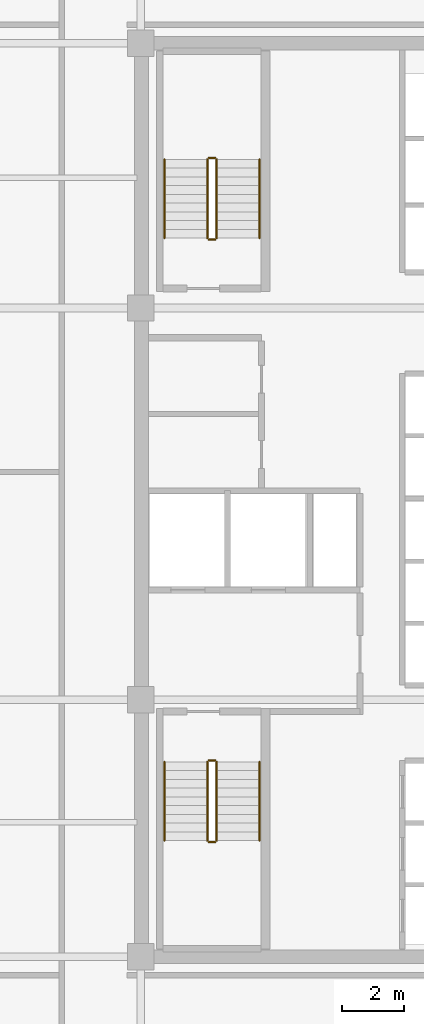
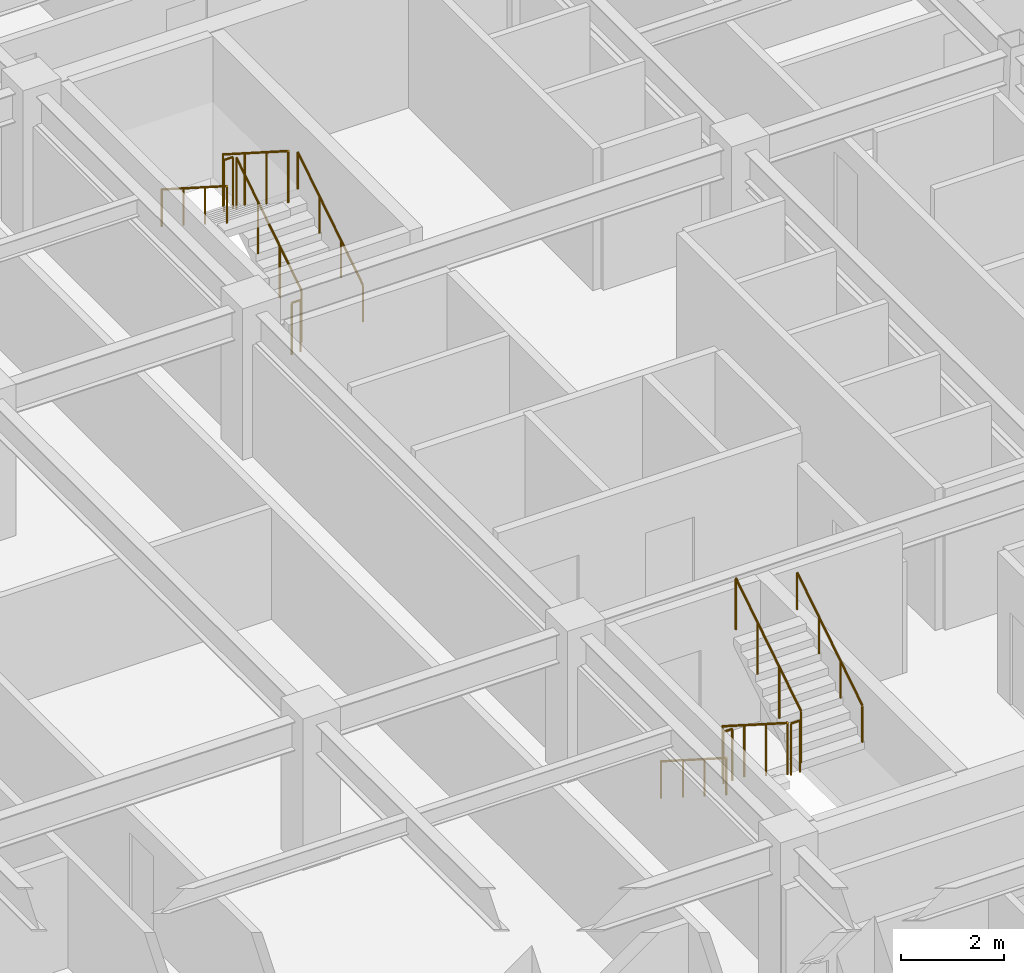
# One storey, part 12 of 12: 12 railings.
"""IFC4 building model written with IfcOpenShell, lengths in metres."""

import ifcopenshell
import ifcopenshell.guid

model = None  # the IFC model being written
_history = None  # IfcOwnerHistory: only IFC2X3 demands one
_inside = {}  # id of a spatial element -> (the spatial element, [elements in it])
_under = {}  # id of a project, library or spatial element -> (it, [spatial elements below it])
_declared = {}  # id of a project -> (the project, [libraries it declares])
_typed = {}  # id of a type object -> (the type object, [elements of that type])
_made_of = {}  # id of a material, layer set ... -> (it, [elements and type objects made of it])


def new_model(schema):
    """Start an empty IFC model of exactly this schema.

    Asked for "IFC4X3", IfcOpenShell would pick the latest addendum, in which some entities
    have other attributes; the version numbers below select the first issue.
    IFC2X3 requires an IfcOwnerHistory on every rooted entity: one is made here for all.
    """
    global model, _history
    if schema == "IFC4X3":
        model = ifcopenshell.file(schema_version=(4, 3, 0, 0))
    else:
        model = ifcopenshell.file(schema=schema)
    _inside.clear()
    _under.clear()
    _declared.clear()
    _typed.clear()
    _made_of.clear()
    _history = None
    if model.schema == "IFC2X3":
        org = make("IfcOrganization", Name="unknown")
        user = make(
            "IfcPersonAndOrganization",
            ThePerson=make("IfcPerson", FamilyName="unknown"),
            TheOrganization=org,
        )
        app = make(
            "IfcApplication",
            ApplicationDeveloper=org,
            Version="unknown",
            ApplicationFullName="unknown",
            ApplicationIdentifier="unknown",
        )
        _history = make(
            "IfcOwnerHistory",
            OwningUser=user,
            OwningApplication=app,
            ChangeAction="ADDED",
            CreationDate=0,
        )
    return model


def make(cls, **values):
    """One entity of the class cls with the attributes given. An attribute that is None is left unset."""
    return model.create_entity(
        cls, **{name: value for name, value in values.items() if value is not None}
    )


def rooted(cls, **values):
    """An entity with a GlobalId (a new one), such as an element, a storey or a relation."""
    return make(cls, GlobalId=ifcopenshell.guid.new(), OwnerHistory=_history, **values)


def si_unit(unit_type, name, prefix=None):
    """IfcSIUnit, for example si_unit("LENGTHUNIT", "METRE", prefix="MILLI")."""
    return make("IfcSIUnit", UnitType=unit_type, Prefix=prefix, Name=name)


def assignment(units):
    """IfcUnitAssignment: the units of a project."""
    return None if units is None else make("IfcUnitAssignment", Units=units)


def point(xyz):
    """IfcCartesianPoint."""
    return None if xyz is None else make("IfcCartesianPoint", Coordinates=xyz)


def direction(xyz):
    """IfcDirection."""
    return None if xyz is None else make("IfcDirection", DirectionRatios=xyz)


def frame(location, z_axis=None, x_axis=None):
    """IfcAxis2Placement3D, a coordinate frame: its origin and axes. An axis left out is left unset."""
    return make(
        "IfcAxis2Placement3D",
        Location=point(location),
        Axis=direction(z_axis),
        RefDirection=direction(x_axis),
    )


def frame_2d(location, x_axis=None):
    """IfcAxis2Placement2D, a coordinate frame in the plane: its origin and x axis."""
    return make(
        "IfcAxis2Placement2D", Location=point(location), RefDirection=direction(x_axis)
    )


def origin():
    """The frame at (0, 0, 0) with its axes left unset."""
    return frame((0.0, 0.0, 0.0))


def origin_2d():
    """The frame at (0, 0) in the plane with its x axis left unset."""
    return frame_2d((0.0, 0.0))


def place(relative_to, where):
    """IfcLocalPlacement: puts the frame where relative to a parent placement (None: the world)."""
    return make(
        "IfcLocalPlacement", PlacementRelTo=relative_to, RelativePlacement=where
    )


def context(
    kind, dimensions, precision=None, world=None, true_north=None, identifier=None
):
    """IfcGeometricRepresentationContext, for example the 3D "Model" context."""
    return make(
        "IfcGeometricRepresentationContext",
        ContextIdentifier=identifier,
        ContextType=kind,
        CoordinateSpaceDimension=dimensions,
        Precision=precision,
        WorldCoordinateSystem=world,
        TrueNorth=true_north,
    )


def subcontext(parent, identifier, kind, view, scale=None):
    """IfcGeometricRepresentationSubContext, for example "Body" below "Model"."""
    return make(
        "IfcGeometricRepresentationSubContext",
        ContextIdentifier=identifier,
        ContextType=kind,
        ParentContext=parent,
        TargetScale=scale,
        TargetView=view,
    )


def project(units=None, contexts=None):
    """IfcProject with its units and contexts."""
    return rooted(
        "IfcProject",
        Name="project",
        RepresentationContexts=contexts,
        UnitsInContext=assignment(units),
    )


def spatial(cls, under=None, at=None, **own):
    """A site, building, storey or space (cls), placed at a placement, below another one or the project."""
    s = rooted(cls, ObjectPlacement=at, **own)
    if under is not None:
        _under.setdefault(under.id(), (under, []))[1].append(s)
    return s


def profile(cls, at=None, kind="AREA", **sizes):
    """A parametric profile (cls). Its sizes go by their IFC names, for example OverallWidth=200.0."""
    return make(cls, ProfileType=kind, Position=at, **sizes)


def circle(**sizes):
    """IfcCircleProfileDef."""
    return profile("IfcCircleProfileDef", **sizes)


def extrude(swept, where, along, depth):
    """IfcExtrudedAreaSolid: the profile swept, set in the frame where, extruded along a direction by depth."""
    return make(
        "IfcExtrudedAreaSolid",
        SweptArea=swept,
        Position=where,
        ExtrudedDirection=direction(along),
        Depth=depth,
    )


def shape(context_of_items, identifier, shape_type, items):
    """IfcShapeRepresentation: the items that make up one representation, for example the "Body"."""
    return make(
        "IfcShapeRepresentation",
        ContextOfItems=context_of_items,
        RepresentationIdentifier=identifier,
        RepresentationType=shape_type,
        Items=items,
    )


def material(Name=None, Category=None):
    """IfcMaterial."""
    return make("IfcMaterial", Name=Name, Category=Category)


def made_of(thing, what):
    """Note that an element or type object is made of a material, layer set ...; save() writes the relation."""
    if what is not None:
        _made_of.setdefault(what.id(), (what, []))[1].append(thing)
    return thing


def type_object(cls, material=None, **own):
    """A type object (cls), such as IfcWallType, which elements share."""
    return made_of(rooted(cls, **own), material)


def element(
    cls,
    number,
    at=None,
    inside=None,
    cuts=None,
    type_object=None,
    material=None,
    context=None,
    identifier="Body",
    shape_type=None,
    held_by="IfcProductDefinitionShape",
    body=None,
    shapes=None,
    **own,
):
    """One element of the class cls, such as IfcWall. Its Tag is "e" and its number.

    at: its placement. inside: the storey or other place that contains it. cuts: it is an
    opening in that element (IfcRelVoidsElement). A single representation is given by context,
    identifier, shape_type and body (its items); several are given by shapes. held_by: the class
    of the entity that holds the representations. save() writes the other relations.
    """
    e = rooted(cls, Tag="e%d" % number, ObjectPlacement=at, **own)
    if body is not None:
        shapes = [shape(context, identifier, shape_type, body)]
    if shapes is not None:
        e.Representation = make(held_by, Representations=shapes)
    if inside is not None:
        _inside.setdefault(inside.id(), (inside, []))[1].append(e)
    if cuts is not None:
        rooted(
            "IfcRelVoidsElement", RelatingBuildingElement=cuts, RelatedOpeningElement=e
        )
    if type_object is not None:
        _typed.setdefault(type_object.id(), (type_object, []))[1].append(e)
    return made_of(e, material)


def aggregate(whole, parts):
    """IfcRelAggregates: a whole, such as a stair, and the parts it consists of."""
    return rooted("IfcRelAggregates", RelatingObject=whole, RelatedObjects=parts)


def save(model, path):
    """Write the relations noted so far, then the file.

    IfcRelAggregates (storeys below a building ...), IfcRelContainedInSpatialStructure (elements
    in a storey), IfcRelDefinesByType, IfcRelAssociatesMaterial and IfcRelDeclares: one each for
    every whole, place, type object, material and project.
    """
    for whole, parts in _under.values():
        aggregate(whole, parts)
    for where, things in _inside.values():
        rooted(
            "IfcRelContainedInSpatialStructure",
            RelatedElements=things,
            RelatingStructure=where,
        )
    for kind, things in _typed.values():
        rooted("IfcRelDefinesByType", RelatedObjects=things, RelatingType=kind)
    for what, things in _made_of.values():
        rooted("IfcRelAssociatesMaterial", RelatedObjects=things, RelatingMaterial=what)
    for by, libraries in _declared.values():
        rooted("IfcRelDeclares", RelatingContext=by, RelatedDefinitions=libraries)
    model.write(path)


model = new_model("IFC4")

# Units and contexts
model_context = context("Model", 3, precision=1e-05, world=origin(), true_north=direction((0.0, 1.0)))
body_context = subcontext(model_context, "Body", "Model", "MODEL_VIEW")
ifc_project = project(units=[si_unit("LENGTHUNIT", "METRE"), si_unit("AREAUNIT", "SQUARE_METRE"), si_unit("VOLUMEUNIT", "CUBIC_METRE"), si_unit("PLANEANGLEUNIT", "RADIAN"), si_unit("MASSUNIT", "GRAM", prefix="KILO")], contexts=[model_context])

# Site, building, storey
site_placement = place(None, origin())
site = spatial("IfcSite", under=ifc_project, at=site_placement, CompositionType="ELEMENT")
building_placement = place(site_placement, origin())
building = spatial("IfcBuilding", under=site, at=building_placement, Name="Ochreholt Gables", CompositionType="ELEMENT")
storey_placement = place(building_placement, frame((0.0, 0.0, 38.39990234375)))
storey = spatial("IfcBuildingStorey", under=building, at=storey_placement, Name="L09", CompositionType="ELEMENT", Elevation=38.39990234375)

# Railings
ifc_material_1 = material(Name="Painted Steel Stair Guardrail", Category="steel")
railing_type_1 = type_object("IfcRailingType", Name="RL-ST-GUARD", PredefinedType="GUARDRAIL", material=ifc_material_1)
railing_1_placement = place(storey_placement, frame((26.35009765625, 15.5400390625, 0.18017578125)))
element("IfcRailing", 1, at=railing_1_placement, inside=storey, type_object=railing_type_1, Name="L09 ST-1 stair guard 1", PredefinedType="GUARDRAIL", context=body_context, shape_type="SweptSolid", body=[
    extrude(circle(Radius=0.02392578125, at=origin_2d()), frame((0.0, 0.0, 1.22607421875), z_axis=(0.0, -0.842949592929, 0.537992549931), x_axis=(1.0, 0.0, 0.0)), (0.0, 0.0, 1.0), 3.010986328125),
    extrude(circle(Radius=0.02099609375, at=origin_2d()), origin(), (0.0, 0.0, 1.0), 1.201904296875),
    extrude(circle(Radius=0.02099609375, at=origin_2d()), frame((0.0, -0.845947265625, 0.5400390625)), (0.0, 0.0, 1.0), 1.201904296875),
    extrude(circle(Radius=0.02099609375, at=origin_2d()), frame((0.0, -1.692138671875, 1.079833984375)), (0.0, 0.0, 1.0), 1.201904296875),
    extrude(circle(Radius=0.02099609375, at=origin_2d()), frame((0.0, -2.5380859375, 1.619873046875)), (0.0, 0.0, 1.0), 1.201904296875),
])
railing_2_placement = place(storey_placement, frame((26.39990234375, 12.951904296875, 1.800048828125)))
element("IfcRailing", 2, at=railing_2_placement, inside=storey, type_object=railing_type_1, Name="L09 ST-1 stair guard 2", PredefinedType="GUARDRAIL", context=body_context, shape_type="SweptSolid", body=[
    extrude(circle(Radius=0.02392578125, at=origin_2d()), frame((0.0, 0.0, 1.22607421875), z_axis=(1.0, 0.0, 0.0), x_axis=(0.0, 1.0, 0.0)), (0.0, 0.0, 1.0), 0.2001953125),
    extrude(circle(Radius=0.02099609375, at=origin_2d()), origin(), (0.0, 0.0, 1.0), 1.201904296875),
    extrude(circle(Radius=0.02099609375, at=origin_2d()), frame((0.2001953125, 0.0, 0.0)), (0.0, 0.0, 1.0), 1.201904296875),
])
railing_3_placement = place(storey_placement, frame((26.64990234375, 13.001953125, 1.97998046875)))
element("IfcRailing", 3, at=railing_3_placement, inside=storey, type_object=railing_type_1, Name="L09 ST-1 stair guard 3", PredefinedType="GUARDRAIL", context=body_context, shape_type="SweptSolid", body=[
    extrude(circle(Radius=0.02392578125, at=origin_2d()), frame((0.0, 0.0, 1.22607421875), z_axis=(0.0, 0.842912820907, 0.538050161556), x_axis=(-1.0, 0.0, 0.0)), (0.0, 0.0, 1.0), 3.010986328125),
    extrude(circle(Radius=0.02099609375, at=origin_2d()), origin(), (0.0, 0.0, 1.0), 1.201904296875),
    extrude(circle(Radius=0.02099609375, at=origin_2d()), frame((0.0, 0.845947265625, 0.5400390625)), (0.0, 0.0, 1.0), 1.201904296875),
    extrude(circle(Radius=0.02099609375, at=origin_2d()), frame((0.0, 1.692138671875, 1.080078125)), (0.0, 0.0, 1.0), 1.201904296875),
    extrude(circle(Radius=0.02099609375, at=origin_2d()), frame((0.0, 2.5380859375, 1.6201171875)), (0.0, 0.0, 1.0), 1.201904296875),
])
railing_4_placement = place(storey_placement, frame((26.39990234375, 15.590087890625, 0.0)))
element("IfcRailing", 4, at=railing_4_placement, inside=storey, type_object=railing_type_1, Name="L09 ST-1 stair guard 4", PredefinedType="GUARDRAIL", context=body_context, shape_type="SweptSolid", body=[
    extrude(circle(Radius=0.02392578125, at=origin_2d()), frame((0.0, 0.0, 1.22607421875), z_axis=(1.0, 0.0, 0.0), x_axis=(0.0, 1.0, 0.0)), (0.0, 0.0, 1.0), 0.2001953125),
    extrude(circle(Radius=0.02099609375, at=origin_2d()), origin(), (0.0, 0.0, 1.0), 1.201904296875),
    extrude(circle(Radius=0.02099609375, at=origin_2d()), frame((0.2001953125, 0.0, 0.0)), (0.0, 0.0, 1.0), 1.201904296875),
])
railing_5_placement = place(storey_placement, frame((26.64990234375, 32.4599609375, 0.18017578125)))
element("IfcRailing", 5, at=railing_5_placement, inside=storey, type_object=railing_type_1, Name="L09 ST-2 stair guard 1", PredefinedType="GUARDRAIL", context=body_context, shape_type="SweptSolid", body=[
    extrude(circle(Radius=0.02392578125, at=origin_2d()), frame((0.0, 0.0, 1.22607421875), z_axis=(0.0, 0.842949592929, 0.537992549931), x_axis=(-1.0, 0.0, 0.0)), (0.0, 0.0, 1.0), 3.010986328125),
    extrude(circle(Radius=0.02099609375, at=origin_2d()), origin(), (0.0, 0.0, 1.0), 1.201904296875),
    extrude(circle(Radius=0.02099609375, at=origin_2d()), frame((0.0, 0.845947265625, 0.5400390625)), (0.0, 0.0, 1.0), 1.201904296875),
    extrude(circle(Radius=0.02099609375, at=origin_2d()), frame((0.0, 1.692138671875, 1.079833984375)), (0.0, 0.0, 1.0), 1.201904296875),
    extrude(circle(Radius=0.02099609375, at=origin_2d()), frame((0.0, 2.5380859375, 1.619873046875)), (0.0, 0.0, 1.0), 1.201904296875),
])
railing_6_placement = place(storey_placement, frame((26.60009765625, 35.048095703125, 1.800048828125)))
element("IfcRailing", 6, at=railing_6_placement, inside=storey, type_object=railing_type_1, Name="L09 ST-2 stair guard 2", PredefinedType="GUARDRAIL", context=body_context, shape_type="SweptSolid", body=[
    extrude(circle(Radius=0.02392578125, at=origin_2d()), frame((0.0, 0.0, 1.22607421875), z_axis=(-1.0, 0.0, 0.0), x_axis=(0.0, -1.0, 0.0)), (0.0, 0.0, 1.0), 0.2001953125),
    extrude(circle(Radius=0.02099609375, at=origin_2d()), origin(), (0.0, 0.0, 1.0), 1.201904296875),
    extrude(circle(Radius=0.02099609375, at=origin_2d()), frame((-0.2001953125, 0.0, 0.0)), (0.0, 0.0, 1.0), 1.201904296875),
])
railing_7_placement = place(storey_placement, frame((26.35009765625, 34.998046875, 1.97998046875)))
element("IfcRailing", 7, at=railing_7_placement, inside=storey, type_object=railing_type_1, Name="L09 ST-2 stair guard 3", PredefinedType="GUARDRAIL", context=body_context, shape_type="SweptSolid", body=[
    extrude(circle(Radius=0.02392578125, at=origin_2d()), frame((0.0, 0.0, 1.22607421875), z_axis=(0.0, -0.842912820907, 0.538050161556), x_axis=(1.0, 0.0, 0.0)), (0.0, 0.0, 1.0), 3.010986328125),
    extrude(circle(Radius=0.02099609375, at=origin_2d()), origin(), (0.0, 0.0, 1.0), 1.201904296875),
    extrude(circle(Radius=0.02099609375, at=origin_2d()), frame((0.0, -0.845947265625, 0.5400390625)), (0.0, 0.0, 1.0), 1.201904296875),
    extrude(circle(Radius=0.02099609375, at=origin_2d()), frame((0.0, -1.692138671875, 1.080078125)), (0.0, 0.0, 1.0), 1.201904296875),
    extrude(circle(Radius=0.02099609375, at=origin_2d()), frame((0.0, -2.5380859375, 1.6201171875)), (0.0, 0.0, 1.0), 1.201904296875),
])
railing_8_placement = place(storey_placement, frame((26.60009765625, 32.409912109375, 0.0)))
element("IfcRailing", 8, at=railing_8_placement, inside=storey, type_object=railing_type_1, Name="L09 ST-2 stair guard 4", PredefinedType="GUARDRAIL", context=body_context, shape_type="SweptSolid", body=[
    extrude(circle(Radius=0.02392578125, at=origin_2d()), frame((0.0, 0.0, 1.22607421875), z_axis=(-1.0, 0.0, 0.0), x_axis=(0.0, -1.0, 0.0)), (0.0, 0.0, 1.0), 0.2001953125),
    extrude(circle(Radius=0.02099609375, at=origin_2d()), origin(), (0.0, 0.0, 1.0), 1.201904296875),
    extrude(circle(Radius=0.02099609375, at=origin_2d()), frame((-0.2001953125, 0.0, 0.0)), (0.0, 0.0, 1.0), 1.201904296875),
])
ifc_material_2 = material(Name="Brushed Stainless Steel Wall Handrail", Category="steel")
railing_type_2 = type_object("IfcRailingType", Name="RL-ST-HAND", PredefinedType="HANDRAIL", material=ifc_material_2)
railing_9_placement = place(storey_placement, frame((24.969970703125, 15.5400390625, 0.18017578125)))
element("IfcRailing", 9, at=railing_9_placement, inside=storey, type_object=railing_type_2, Name="L09 ST-1 stair handrail 1", PredefinedType="HANDRAIL", context=body_context, shape_type="SweptSolid", body=[
    extrude(circle(Radius=0.02392578125, at=origin_2d()), frame((0.0, 0.0, 0.8759765625), z_axis=(0.0, -0.842949592929, 0.537992549931), x_axis=(1.0, 0.0, 0.0)), (0.0, 0.0, 1.0), 3.010986328125),
    extrude(circle(Radius=0.02099609375, at=origin_2d()), origin(), (0.0, 0.0, 1.0), 0.851806640625),
    extrude(circle(Radius=0.02099609375, at=origin_2d()), frame((0.0, -0.845947265625, 0.5400390625)), (0.0, 0.0, 1.0), 0.851806640625),
    extrude(circle(Radius=0.02099609375, at=origin_2d()), frame((0.0, -1.692138671875, 1.079833984375)), (0.0, 0.0, 1.0), 0.851806640625),
    extrude(circle(Radius=0.02099609375, at=origin_2d()), frame((0.0, -2.5380859375, 1.619873046875)), (0.0, 0.0, 1.0), 0.851806640625),
])
railing_10_placement = place(storey_placement, frame((28.030029296875, 13.001953125, 1.97998046875)))
element("IfcRailing", 10, at=railing_10_placement, inside=storey, type_object=railing_type_2, Name="L09 ST-1 stair handrail 2", PredefinedType="HANDRAIL", context=body_context, shape_type="SweptSolid", body=[
    extrude(circle(Radius=0.02392578125, at=origin_2d()), frame((0.0, 0.0, 0.8759765625), z_axis=(0.0, 0.842912820907, 0.538050161556), x_axis=(-1.0, 0.0, 0.0)), (0.0, 0.0, 1.0), 3.010986328125),
    extrude(circle(Radius=0.02099609375, at=origin_2d()), origin(), (0.0, 0.0, 1.0), 0.851806640625),
    extrude(circle(Radius=0.02099609375, at=origin_2d()), frame((0.0, 0.845947265625, 0.5400390625)), (0.0, 0.0, 1.0), 0.851806640625),
    extrude(circle(Radius=0.02099609375, at=origin_2d()), frame((0.0, 1.692138671875, 1.080078125)), (0.0, 0.0, 1.0), 0.851806640625),
    extrude(circle(Radius=0.02099609375, at=origin_2d()), frame((0.0, 2.5380859375, 1.6201171875)), (0.0, 0.0, 1.0), 0.851806640625),
])
railing_11_placement = place(storey_placement, frame((28.030029296875, 32.4599609375, 0.18017578125)))
element("IfcRailing", 11, at=railing_11_placement, inside=storey, type_object=railing_type_2, Name="L09 ST-2 stair handrail 1", PredefinedType="HANDRAIL", context=body_context, shape_type="SweptSolid", body=[
    extrude(circle(Radius=0.02392578125, at=origin_2d()), frame((0.0, 0.0, 0.8759765625), z_axis=(0.0, 0.842949592929, 0.537992549931), x_axis=(-1.0, 0.0, 0.0)), (0.0, 0.0, 1.0), 3.010986328125),
    extrude(circle(Radius=0.02099609375, at=origin_2d()), origin(), (0.0, 0.0, 1.0), 0.851806640625),
    extrude(circle(Radius=0.02099609375, at=origin_2d()), frame((0.0, 0.845947265625, 0.5400390625)), (0.0, 0.0, 1.0), 0.851806640625),
    extrude(circle(Radius=0.02099609375, at=origin_2d()), frame((0.0, 1.692138671875, 1.079833984375)), (0.0, 0.0, 1.0), 0.851806640625),
    extrude(circle(Radius=0.02099609375, at=origin_2d()), frame((0.0, 2.5380859375, 1.619873046875)), (0.0, 0.0, 1.0), 0.851806640625),
])
railing_12_placement = place(storey_placement, frame((24.969970703125, 34.998046875, 1.97998046875)))
element("IfcRailing", 12, at=railing_12_placement, inside=storey, type_object=railing_type_2, Name="L09 ST-2 stair handrail 2", PredefinedType="HANDRAIL", context=body_context, shape_type="SweptSolid", body=[
    extrude(circle(Radius=0.02392578125, at=origin_2d()), frame((0.0, 0.0, 0.8759765625), z_axis=(0.0, -0.842912820907, 0.538050161556), x_axis=(1.0, 0.0, 0.0)), (0.0, 0.0, 1.0), 3.010986328125),
    extrude(circle(Radius=0.02099609375, at=origin_2d()), origin(), (0.0, 0.0, 1.0), 0.851806640625),
    extrude(circle(Radius=0.02099609375, at=origin_2d()), frame((0.0, -0.845947265625, 0.5400390625)), (0.0, 0.0, 1.0), 0.851806640625),
    extrude(circle(Radius=0.02099609375, at=origin_2d()), frame((0.0, -1.692138671875, 1.080078125)), (0.0, 0.0, 1.0), 0.851806640625),
    extrude(circle(Radius=0.02099609375, at=origin_2d()), frame((0.0, -2.5380859375, 1.6201171875)), (0.0, 0.0, 1.0), 0.851806640625),
])

save(model, "model.ifc")
